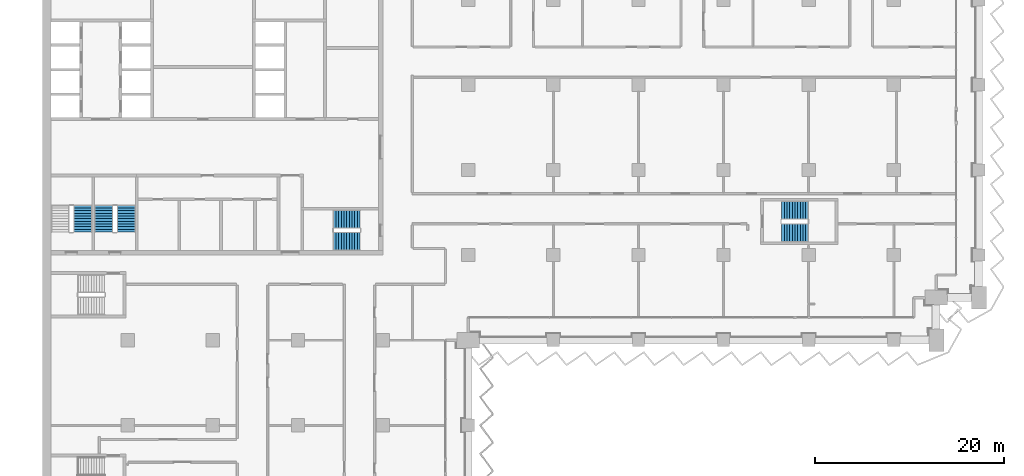
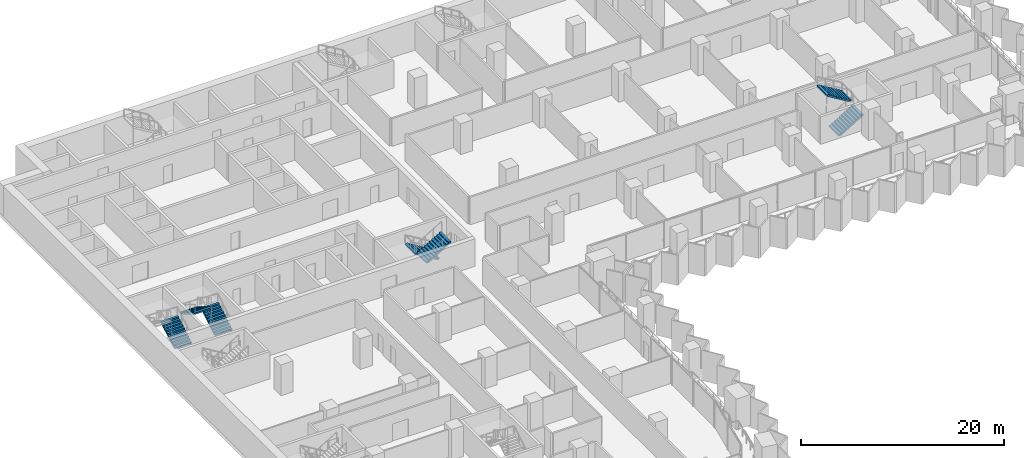
# One storey, part 20 of 28: 7 stair flights, 4 elements without a shape of their own.
"""IFC4 building model written with IfcOpenShell, lengths in metres."""

from ifc_helpers import new_model, si_unit, direction, frame, origin, place, context, subcontext, project, spatial, polyline, outline, extrude, material, type_object, element, aggregate, save


model = new_model("IFC4")

# Units and contexts
model_context = context("Model", 3, precision=1e-05, world=origin(), true_north=direction((0.0, 1.0)))
body_context = subcontext(model_context, "Body", "Model", "MODEL_VIEW")
ifc_project = project(units=[si_unit("LENGTHUNIT", "METRE"), si_unit("AREAUNIT", "SQUARE_METRE"), si_unit("VOLUMEUNIT", "CUBIC_METRE"), si_unit("PLANEANGLEUNIT", "RADIAN"), si_unit("MASSUNIT", "GRAM", prefix="KILO")], contexts=[model_context])

# Site, building, storey
site_placement = place(None, origin())
site = spatial("IfcSite", under=ifc_project, at=site_placement, CompositionType="ELEMENT")
building_placement = place(site_placement, origin())
building = spatial("IfcBuilding", under=site, at=building_placement, Name="Hunhe Ridgeline Campus", CompositionType="ELEMENT")
storey_placement = place(building_placement, frame((0.0, 0.0, 58.0)))
storey = spatial("IfcBuildingStorey", under=building, at=storey_placement, Name="L13", CompositionType="ELEMENT", Elevation=58.0)

# Stair, stair flights
ifc_material = material(Name="Concrete C40", Category="concrete")
stair_type = type_object("IfcStairType", Name="Reinforced concrete dog-leg stair 1950 Concrete C40", PredefinedType="HALF_TURN_STAIR", material=ifc_material)
stair_1_placement = place(storey_placement, origin())
stair_1 = element("IfcStair", 1, at=stair_1_placement, inside=storey, type_object=stair_type, Name="L13 S2", PredefinedType="HALF_TURN_STAIR")
stair_flight_type = type_object("IfcStairFlightType", Name="Reinforced concrete stair flight 1950 Concrete C40", PredefinedType="STRAIGHT", material=ifc_material)
stair_flight_1_placement = place(storey_placement, frame((33.550048828125, 66.77490234375, 0.0), z_axis=(0.0, 0.0, 1.0), x_axis=(-1.0, 0.0, 0.0)))
stair_flight_1 = element("IfcStairFlight", 2, at=stair_flight_1_placement, type_object=stair_flight_type, Name="ST2 flight 1", NumberOfRisers=11, NumberOfTreads=10, PredefinedType="STRAIGHT", RiserHeight=0.168181818, TreadLength=0.28, context=body_context, shape_type="SweptSolid", body=[
    extrude(outline(polyline([(0.0, 0.0), (0.0, 0.168212890625), (0.280029296875, 0.168212890625), (0.280029296875, 0.33642578125), (0.56005859375, 0.33642578125), (0.56005859375, 0.504638671875), (0.840087890625, 0.504638671875), (0.840087890625, 0.672607421875), (1.1201171875, 0.672607421875), (1.1201171875, 0.8408203125), (1.39990234375, 0.8408203125), (1.39990234375, 1.009033203125), (1.679931640625, 1.009033203125), (1.679931640625, 1.17724609375), (1.9599609375, 1.17724609375), (1.9599609375, 1.345458984375), (2.239990234375, 1.345458984375), (2.239990234375, 1.513671875), (2.52001953125, 1.513671875), (2.52001953125, 1.681884765625), (2.800048828125, 1.681884765625), (2.800048828125, 1.85009765625), (2.800048828125, 1.5068359375), (0.291015625, 0.0), (0.0, 0.0)])), frame((0.0, 0.97509765625, 0.0), z_axis=(0.0, -1.0, 0.0), x_axis=(1.0, 0.0, 0.0)), (0.0, 0.0, 1.0), 1.949951171875),
    extrude(outline(polyline([(0.030029296875, 0.030029296875), (0.030029296875, 0.13818359375), (0.31005859375, 0.13818359375), (0.31005859375, 0.306396484375), (0.590087890625, 0.306396484375), (0.590087890625, 0.474609375), (0.8701171875, 0.474609375), (0.8701171875, 0.642578125), (1.14990234375, 0.642578125), (1.14990234375, 0.810791015625), (1.429931640625, 0.810791015625), (1.429931640625, 0.97900390625), (1.7099609375, 0.97900390625), (1.7099609375, 1.147216796875), (1.989990234375, 1.147216796875), (1.989990234375, 1.3154296875), (2.27001953125, 1.3154296875), (2.27001953125, 1.483642578125), (2.550048828125, 1.483642578125), (2.550048828125, 1.65185546875), (2.77001953125, 1.65185546875), (2.77001953125, 1.52392578125), (0.28271484375, 0.030029296875), (0.030029296875, 0.030029296875)])), frame((0.0, -0.070068359375, 0.0), z_axis=(0.0, -1.0, 0.0), x_axis=(1.0, 0.0, 0.0)), (0.0, 0.0, 1.0), 0.019775390625),
    extrude(outline(polyline([(0.030029296875, 0.030029296875), (0.030029296875, 0.13818359375), (0.31005859375, 0.13818359375), (0.31005859375, 0.306396484375), (0.590087890625, 0.306396484375), (0.590087890625, 0.474609375), (0.8701171875, 0.474609375), (0.8701171875, 0.642578125), (1.14990234375, 0.642578125), (1.14990234375, 0.810791015625), (1.429931640625, 0.810791015625), (1.429931640625, 0.97900390625), (1.7099609375, 0.97900390625), (1.7099609375, 1.147216796875), (1.989990234375, 1.147216796875), (1.989990234375, 1.3154296875), (2.27001953125, 1.3154296875), (2.27001953125, 1.483642578125), (2.550048828125, 1.483642578125), (2.550048828125, 1.65185546875), (2.77001953125, 1.65185546875), (2.77001953125, 1.52392578125), (0.28271484375, 0.030029296875), (0.030029296875, 0.030029296875)])), frame((0.0, 0.010009765625, 0.0), z_axis=(0.0, -1.0, 0.0), x_axis=(1.0, 0.0, 0.0)), (0.0, 0.0, 1.0), 0.019775390625),
    extrude(outline(polyline([(0.030029296875, 0.030029296875), (0.030029296875, 0.13818359375), (0.31005859375, 0.13818359375), (0.31005859375, 0.306396484375), (0.590087890625, 0.306396484375), (0.590087890625, 0.474609375), (0.8701171875, 0.474609375), (0.8701171875, 0.642578125), (1.14990234375, 0.642578125), (1.14990234375, 0.810791015625), (1.429931640625, 0.810791015625), (1.429931640625, 0.97900390625), (1.7099609375, 0.97900390625), (1.7099609375, 1.147216796875), (1.989990234375, 1.147216796875), (1.989990234375, 1.3154296875), (2.27001953125, 1.3154296875), (2.27001953125, 1.483642578125), (2.550048828125, 1.483642578125), (2.550048828125, 1.65185546875), (2.77001953125, 1.65185546875), (2.77001953125, 1.52392578125), (0.28271484375, 0.030029296875), (0.030029296875, 0.030029296875)])), frame((0.0, 0.090087890625, 0.0), z_axis=(0.0, -1.0, 0.0), x_axis=(1.0, 0.0, 0.0)), (0.0, 0.0, 1.0), 0.019775390625),
])
stair_flight_2_placement = place(storey_placement, frame((30.75, 64.47509765625, 1.85009765625), z_axis=(0.0, 0.0, 1.0), x_axis=(1.0, 0.0, 0.0)))
stair_flight_2 = element("IfcStairFlight", 3, at=stair_flight_2_placement, type_object=stair_flight_type, Name="ST2 flight 2", NumberOfRisers=11, NumberOfTreads=10, PredefinedType="STRAIGHT", RiserHeight=0.168181818, TreadLength=0.28, context=body_context, shape_type="SweptSolid", body=[
    extrude(outline(polyline([(0.0, 0.0), (0.0, 0.168212890625), (0.280029296875, 0.168212890625), (0.280029296875, 0.33642578125), (0.56005859375, 0.33642578125), (0.56005859375, 0.504638671875), (0.840087890625, 0.504638671875), (0.840087890625, 0.672607421875), (1.1201171875, 0.672607421875), (1.1201171875, 0.8408203125), (1.39990234375, 0.8408203125), (1.39990234375, 1.009033203125), (1.679931640625, 1.009033203125), (1.679931640625, 1.17724609375), (1.9599609375, 1.17724609375), (1.9599609375, 1.345458984375), (2.239990234375, 1.345458984375), (2.239990234375, 1.513671875), (2.52001953125, 1.513671875), (2.52001953125, 1.681884765625), (2.800048828125, 1.681884765625), (2.800048828125, 1.85009765625), (2.800048828125, 1.5068359375), (0.291015625, 0.0), (0.0, 0.0)])), frame((0.0, 0.97509765625, 0.0), z_axis=(0.0, -1.0, 0.0), x_axis=(1.0, 0.0, 0.0)), (0.0, 0.0, 1.0), 1.949951171875),
    extrude(outline(polyline([(0.030029296875, 0.030029296875), (0.030029296875, 0.13818359375), (0.31005859375, 0.13818359375), (0.31005859375, 0.306396484375), (0.590087890625, 0.306396484375), (0.590087890625, 0.474609375), (0.8701171875, 0.474609375), (0.8701171875, 0.642578125), (1.14990234375, 0.642578125), (1.14990234375, 0.810791015625), (1.429931640625, 0.810791015625), (1.429931640625, 0.97900390625), (1.7099609375, 0.97900390625), (1.7099609375, 1.147216796875), (1.989990234375, 1.147216796875), (1.989990234375, 1.3154296875), (2.27001953125, 1.3154296875), (2.27001953125, 1.483642578125), (2.550048828125, 1.483642578125), (2.550048828125, 1.65185546875), (2.77001953125, 1.65185546875), (2.77001953125, 1.52392578125), (0.28271484375, 0.030029296875), (0.030029296875, 0.030029296875)])), frame((0.0, -0.070068359375, 0.0), z_axis=(0.0, -1.0, 0.0), x_axis=(1.0, 0.0, 0.0)), (0.0, 0.0, 1.0), 0.019775390625),
    extrude(outline(polyline([(0.030029296875, 0.030029296875), (0.030029296875, 0.13818359375), (0.31005859375, 0.13818359375), (0.31005859375, 0.306396484375), (0.590087890625, 0.306396484375), (0.590087890625, 0.474609375), (0.8701171875, 0.474609375), (0.8701171875, 0.642578125), (1.14990234375, 0.642578125), (1.14990234375, 0.810791015625), (1.429931640625, 0.810791015625), (1.429931640625, 0.97900390625), (1.7099609375, 0.97900390625), (1.7099609375, 1.147216796875), (1.989990234375, 1.147216796875), (1.989990234375, 1.3154296875), (2.27001953125, 1.3154296875), (2.27001953125, 1.483642578125), (2.550048828125, 1.483642578125), (2.550048828125, 1.65185546875), (2.77001953125, 1.65185546875), (2.77001953125, 1.52392578125), (0.28271484375, 0.030029296875), (0.030029296875, 0.030029296875)])), frame((0.0, 0.010009765625, 0.0), z_axis=(0.0, -1.0, 0.0), x_axis=(1.0, 0.0, 0.0)), (0.0, 0.0, 1.0), 0.019775390625),
    extrude(outline(polyline([(0.030029296875, 0.030029296875), (0.030029296875, 0.13818359375), (0.31005859375, 0.13818359375), (0.31005859375, 0.306396484375), (0.590087890625, 0.306396484375), (0.590087890625, 0.474609375), (0.8701171875, 0.474609375), (0.8701171875, 0.642578125), (1.14990234375, 0.642578125), (1.14990234375, 0.810791015625), (1.429931640625, 0.810791015625), (1.429931640625, 0.97900390625), (1.7099609375, 0.97900390625), (1.7099609375, 1.147216796875), (1.989990234375, 1.147216796875), (1.989990234375, 1.3154296875), (2.27001953125, 1.3154296875), (2.27001953125, 1.483642578125), (2.550048828125, 1.483642578125), (2.550048828125, 1.65185546875), (2.77001953125, 1.65185546875), (2.77001953125, 1.52392578125), (0.28271484375, 0.030029296875), (0.030029296875, 0.030029296875)])), frame((0.0, 0.090087890625, 0.0), z_axis=(0.0, -1.0, 0.0), x_axis=(1.0, 0.0, 0.0)), (0.0, 0.0, 1.0), 0.019775390625),
])
aggregate(stair_1, [stair_flight_1, stair_flight_2])

# Stair, stair flight
stair_2_placement = place(storey_placement, origin())
stair_2 = element("IfcStair", 4, at=stair_2_placement, inside=storey, type_object=stair_type, Name="L13 S3", PredefinedType="HALF_TURN_STAIR")
stair_flight_3_placement = place(storey_placement, frame((4.22509765625, 65.449951171875, 0.0), z_axis=(0.0, 0.0, 1.0), x_axis=(0.0, 1.0, 0.0)))
stair_flight_3 = element("IfcStairFlight", 5, at=stair_flight_3_placement, type_object=stair_flight_type, Name="ST3 flight 1", NumberOfRisers=11, NumberOfTreads=10, PredefinedType="STRAIGHT", RiserHeight=0.168181818, TreadLength=0.28, context=body_context, shape_type="SweptSolid", body=[
    extrude(outline(polyline([(0.0, 0.0), (0.0, 0.168212890625), (0.280029296875, 0.168212890625), (0.280029296875, 0.33642578125), (0.56005859375, 0.33642578125), (0.56005859375, 0.504638671875), (0.840087890625, 0.504638671875), (0.840087890625, 0.672607421875), (1.1201171875, 0.672607421875), (1.1201171875, 0.8408203125), (1.39990234375, 0.8408203125), (1.39990234375, 1.009033203125), (1.679931640625, 1.009033203125), (1.679931640625, 1.17724609375), (1.9599609375, 1.17724609375), (1.9599609375, 1.345458984375), (2.239990234375, 1.345458984375), (2.239990234375, 1.513671875), (2.52001953125, 1.513671875), (2.52001953125, 1.681884765625), (2.800048828125, 1.681884765625), (2.800048828125, 1.85009765625), (2.800048828125, 1.5068359375), (0.291015625, 0.0), (0.0, 0.0)])), frame((0.0, 0.97509765625, 0.0), z_axis=(0.0, -1.0, 0.0), x_axis=(1.0, 0.0, 0.0)), (0.0, 0.0, 1.0), 1.949951171875),
    extrude(outline(polyline([(0.030029296875, 0.030029296875), (0.030029296875, 0.13818359375), (0.31005859375, 0.13818359375), (0.31005859375, 0.306396484375), (0.590087890625, 0.306396484375), (0.590087890625, 0.474609375), (0.8701171875, 0.474609375), (0.8701171875, 0.642578125), (1.14990234375, 0.642578125), (1.14990234375, 0.810791015625), (1.429931640625, 0.810791015625), (1.429931640625, 0.97900390625), (1.7099609375, 0.97900390625), (1.7099609375, 1.147216796875), (1.989990234375, 1.147216796875), (1.989990234375, 1.3154296875), (2.27001953125, 1.3154296875), (2.27001953125, 1.483642578125), (2.550048828125, 1.483642578125), (2.550048828125, 1.65185546875), (2.77001953125, 1.65185546875), (2.77001953125, 1.52392578125), (0.28271484375, 0.030029296875), (0.030029296875, 0.030029296875)])), frame((0.0, -0.070068359375, 0.0), z_axis=(0.0, -1.0, 0.0), x_axis=(1.0, 0.0, 0.0)), (0.0, 0.0, 1.0), 0.019775390625),
    extrude(outline(polyline([(0.030029296875, 0.030029296875), (0.030029296875, 0.13818359375), (0.31005859375, 0.13818359375), (0.31005859375, 0.306396484375), (0.590087890625, 0.306396484375), (0.590087890625, 0.474609375), (0.8701171875, 0.474609375), (0.8701171875, 0.642578125), (1.14990234375, 0.642578125), (1.14990234375, 0.810791015625), (1.429931640625, 0.810791015625), (1.429931640625, 0.97900390625), (1.7099609375, 0.97900390625), (1.7099609375, 1.147216796875), (1.989990234375, 1.147216796875), (1.989990234375, 1.3154296875), (2.27001953125, 1.3154296875), (2.27001953125, 1.483642578125), (2.550048828125, 1.483642578125), (2.550048828125, 1.65185546875), (2.77001953125, 1.65185546875), (2.77001953125, 1.52392578125), (0.28271484375, 0.030029296875), (0.030029296875, 0.030029296875)])), frame((0.0, 0.010009765625, 0.0), z_axis=(0.0, -1.0, 0.0), x_axis=(1.0, 0.0, 0.0)), (0.0, 0.0, 1.0), 0.019775390625),
    extrude(outline(polyline([(0.030029296875, 0.030029296875), (0.030029296875, 0.13818359375), (0.31005859375, 0.13818359375), (0.31005859375, 0.306396484375), (0.590087890625, 0.306396484375), (0.590087890625, 0.474609375), (0.8701171875, 0.474609375), (0.8701171875, 0.642578125), (1.14990234375, 0.642578125), (1.14990234375, 0.810791015625), (1.429931640625, 0.810791015625), (1.429931640625, 0.97900390625), (1.7099609375, 0.97900390625), (1.7099609375, 1.147216796875), (1.989990234375, 1.147216796875), (1.989990234375, 1.3154296875), (2.27001953125, 1.3154296875), (2.27001953125, 1.483642578125), (2.550048828125, 1.483642578125), (2.550048828125, 1.65185546875), (2.77001953125, 1.65185546875), (2.77001953125, 1.52392578125), (0.28271484375, 0.030029296875), (0.030029296875, 0.030029296875)])), frame((0.0, 0.090087890625, 0.0), z_axis=(0.0, -1.0, 0.0), x_axis=(1.0, 0.0, 0.0)), (0.0, 0.0, 1.0), 0.019775390625),
])
aggregate(stair_2, [stair_flight_3])

# Stair, stair flights
stair_3_placement = place(storey_placement, origin())
stair_3 = element("IfcStair", 6, at=stair_3_placement, inside=storey, type_object=stair_type, Name="L13 S4", PredefinedType="HALF_TURN_STAIR")
stair_flight_4_placement = place(storey_placement, frame((8.824951171875, 65.449951171875, 0.0), z_axis=(0.0, 0.0, 1.0), x_axis=(0.0, 1.0, 0.0)))
stair_flight_4 = element("IfcStairFlight", 7, at=stair_flight_4_placement, type_object=stair_flight_type, Name="ST4 flight 1", NumberOfRisers=11, NumberOfTreads=10, PredefinedType="STRAIGHT", RiserHeight=0.168181818, TreadLength=0.28, context=body_context, shape_type="SweptSolid", body=[
    extrude(outline(polyline([(0.0, 0.0), (0.0, 0.168212890625), (0.280029296875, 0.168212890625), (0.280029296875, 0.33642578125), (0.56005859375, 0.33642578125), (0.56005859375, 0.504638671875), (0.840087890625, 0.504638671875), (0.840087890625, 0.672607421875), (1.1201171875, 0.672607421875), (1.1201171875, 0.8408203125), (1.39990234375, 0.8408203125), (1.39990234375, 1.009033203125), (1.679931640625, 1.009033203125), (1.679931640625, 1.17724609375), (1.9599609375, 1.17724609375), (1.9599609375, 1.345458984375), (2.239990234375, 1.345458984375), (2.239990234375, 1.513671875), (2.52001953125, 1.513671875), (2.52001953125, 1.681884765625), (2.800048828125, 1.681884765625), (2.800048828125, 1.85009765625), (2.800048828125, 1.5068359375), (0.291015625, 0.0), (0.0, 0.0)])), frame((0.0, 0.97509765625, 0.0), z_axis=(0.0, -1.0, 0.0), x_axis=(1.0, 0.0, 0.0)), (0.0, 0.0, 1.0), 1.949951171875),
    extrude(outline(polyline([(0.030029296875, 0.030029296875), (0.030029296875, 0.13818359375), (0.31005859375, 0.13818359375), (0.31005859375, 0.306396484375), (0.590087890625, 0.306396484375), (0.590087890625, 0.474609375), (0.8701171875, 0.474609375), (0.8701171875, 0.642578125), (1.14990234375, 0.642578125), (1.14990234375, 0.810791015625), (1.429931640625, 0.810791015625), (1.429931640625, 0.97900390625), (1.7099609375, 0.97900390625), (1.7099609375, 1.147216796875), (1.989990234375, 1.147216796875), (1.989990234375, 1.3154296875), (2.27001953125, 1.3154296875), (2.27001953125, 1.483642578125), (2.550048828125, 1.483642578125), (2.550048828125, 1.65185546875), (2.77001953125, 1.65185546875), (2.77001953125, 1.52392578125), (0.28271484375, 0.030029296875), (0.030029296875, 0.030029296875)])), frame((0.0, -0.070068359375, 0.0), z_axis=(0.0, -1.0, 0.0), x_axis=(1.0, 0.0, 0.0)), (0.0, 0.0, 1.0), 0.019775390625),
    extrude(outline(polyline([(0.030029296875, 0.030029296875), (0.030029296875, 0.13818359375), (0.31005859375, 0.13818359375), (0.31005859375, 0.306396484375), (0.590087890625, 0.306396484375), (0.590087890625, 0.474609375), (0.8701171875, 0.474609375), (0.8701171875, 0.642578125), (1.14990234375, 0.642578125), (1.14990234375, 0.810791015625), (1.429931640625, 0.810791015625), (1.429931640625, 0.97900390625), (1.7099609375, 0.97900390625), (1.7099609375, 1.147216796875), (1.989990234375, 1.147216796875), (1.989990234375, 1.3154296875), (2.27001953125, 1.3154296875), (2.27001953125, 1.483642578125), (2.550048828125, 1.483642578125), (2.550048828125, 1.65185546875), (2.77001953125, 1.65185546875), (2.77001953125, 1.52392578125), (0.28271484375, 0.030029296875), (0.030029296875, 0.030029296875)])), frame((0.0, 0.010009765625, 0.0), z_axis=(0.0, -1.0, 0.0), x_axis=(1.0, 0.0, 0.0)), (0.0, 0.0, 1.0), 0.019775390625),
    extrude(outline(polyline([(0.030029296875, 0.030029296875), (0.030029296875, 0.13818359375), (0.31005859375, 0.13818359375), (0.31005859375, 0.306396484375), (0.590087890625, 0.306396484375), (0.590087890625, 0.474609375), (0.8701171875, 0.474609375), (0.8701171875, 0.642578125), (1.14990234375, 0.642578125), (1.14990234375, 0.810791015625), (1.429931640625, 0.810791015625), (1.429931640625, 0.97900390625), (1.7099609375, 0.97900390625), (1.7099609375, 1.147216796875), (1.989990234375, 1.147216796875), (1.989990234375, 1.3154296875), (2.27001953125, 1.3154296875), (2.27001953125, 1.483642578125), (2.550048828125, 1.483642578125), (2.550048828125, 1.65185546875), (2.77001953125, 1.65185546875), (2.77001953125, 1.52392578125), (0.28271484375, 0.030029296875), (0.030029296875, 0.030029296875)])), frame((0.0, 0.090087890625, 0.0), z_axis=(0.0, -1.0, 0.0), x_axis=(1.0, 0.0, 0.0)), (0.0, 0.0, 1.0), 0.019775390625),
])
stair_flight_5_placement = place(storey_placement, frame((6.47509765625, 68.25, 1.85009765625), z_axis=(0.0, 0.0, 1.0), x_axis=(0.0, -1.0, 0.0)))
stair_flight_5 = element("IfcStairFlight", 8, at=stair_flight_5_placement, type_object=stair_flight_type, Name="ST4 flight 2", NumberOfRisers=11, NumberOfTreads=10, PredefinedType="STRAIGHT", RiserHeight=0.168181818, TreadLength=0.28, context=body_context, shape_type="SweptSolid", body=[
    extrude(outline(polyline([(0.0, 0.0), (0.0, 0.168212890625), (0.280029296875, 0.168212890625), (0.280029296875, 0.33642578125), (0.56005859375, 0.33642578125), (0.56005859375, 0.504638671875), (0.840087890625, 0.504638671875), (0.840087890625, 0.672607421875), (1.1201171875, 0.672607421875), (1.1201171875, 0.8408203125), (1.39990234375, 0.8408203125), (1.39990234375, 1.009033203125), (1.679931640625, 1.009033203125), (1.679931640625, 1.17724609375), (1.9599609375, 1.17724609375), (1.9599609375, 1.345458984375), (2.239990234375, 1.345458984375), (2.239990234375, 1.513671875), (2.52001953125, 1.513671875), (2.52001953125, 1.681884765625), (2.800048828125, 1.681884765625), (2.800048828125, 1.85009765625), (2.800048828125, 1.5068359375), (0.291015625, 0.0), (0.0, 0.0)])), frame((0.0, 0.97509765625, 0.0), z_axis=(0.0, -1.0, 0.0), x_axis=(1.0, 0.0, 0.0)), (0.0, 0.0, 1.0), 1.949951171875),
    extrude(outline(polyline([(0.030029296875, 0.030029296875), (0.030029296875, 0.13818359375), (0.31005859375, 0.13818359375), (0.31005859375, 0.306396484375), (0.590087890625, 0.306396484375), (0.590087890625, 0.474609375), (0.8701171875, 0.474609375), (0.8701171875, 0.642578125), (1.14990234375, 0.642578125), (1.14990234375, 0.810791015625), (1.429931640625, 0.810791015625), (1.429931640625, 0.97900390625), (1.7099609375, 0.97900390625), (1.7099609375, 1.147216796875), (1.989990234375, 1.147216796875), (1.989990234375, 1.3154296875), (2.27001953125, 1.3154296875), (2.27001953125, 1.483642578125), (2.550048828125, 1.483642578125), (2.550048828125, 1.65185546875), (2.77001953125, 1.65185546875), (2.77001953125, 1.52392578125), (0.28271484375, 0.030029296875), (0.030029296875, 0.030029296875)])), frame((0.0, -0.070068359375, 0.0), z_axis=(0.0, -1.0, 0.0), x_axis=(1.0, 0.0, 0.0)), (0.0, 0.0, 1.0), 0.019775390625),
    extrude(outline(polyline([(0.030029296875, 0.030029296875), (0.030029296875, 0.13818359375), (0.31005859375, 0.13818359375), (0.31005859375, 0.306396484375), (0.590087890625, 0.306396484375), (0.590087890625, 0.474609375), (0.8701171875, 0.474609375), (0.8701171875, 0.642578125), (1.14990234375, 0.642578125), (1.14990234375, 0.810791015625), (1.429931640625, 0.810791015625), (1.429931640625, 0.97900390625), (1.7099609375, 0.97900390625), (1.7099609375, 1.147216796875), (1.989990234375, 1.147216796875), (1.989990234375, 1.3154296875), (2.27001953125, 1.3154296875), (2.27001953125, 1.483642578125), (2.550048828125, 1.483642578125), (2.550048828125, 1.65185546875), (2.77001953125, 1.65185546875), (2.77001953125, 1.52392578125), (0.28271484375, 0.030029296875), (0.030029296875, 0.030029296875)])), frame((0.0, 0.010009765625, 0.0), z_axis=(0.0, -1.0, 0.0), x_axis=(1.0, 0.0, 0.0)), (0.0, 0.0, 1.0), 0.019775390625),
    extrude(outline(polyline([(0.030029296875, 0.030029296875), (0.030029296875, 0.13818359375), (0.31005859375, 0.13818359375), (0.31005859375, 0.306396484375), (0.590087890625, 0.306396484375), (0.590087890625, 0.474609375), (0.8701171875, 0.474609375), (0.8701171875, 0.642578125), (1.14990234375, 0.642578125), (1.14990234375, 0.810791015625), (1.429931640625, 0.810791015625), (1.429931640625, 0.97900390625), (1.7099609375, 0.97900390625), (1.7099609375, 1.147216796875), (1.989990234375, 1.147216796875), (1.989990234375, 1.3154296875), (2.27001953125, 1.3154296875), (2.27001953125, 1.483642578125), (2.550048828125, 1.483642578125), (2.550048828125, 1.65185546875), (2.77001953125, 1.65185546875), (2.77001953125, 1.52392578125), (0.28271484375, 0.030029296875), (0.030029296875, 0.030029296875)])), frame((0.0, 0.090087890625, 0.0), z_axis=(0.0, -1.0, 0.0), x_axis=(1.0, 0.0, 0.0)), (0.0, 0.0, 1.0), 0.019775390625),
])
aggregate(stair_3, [stair_flight_4, stair_flight_5])

stair_4_placement = place(storey_placement, origin())
stair_4 = element("IfcStair", 9, at=stair_4_placement, inside=storey, type_object=stair_type, Name="L13 E5", PredefinedType="HALF_TURN_STAIR")
stair_flight_6_placement = place(storey_placement, frame((78.14990234375, 65.375, 0.0), z_axis=(0.0, 0.0, 1.0), x_axis=(1.0, 0.0, 0.0)))
stair_flight_6 = element("IfcStairFlight", 10, at=stair_flight_6_placement, type_object=stair_flight_type, Name="ST10 flight 1", NumberOfRisers=11, NumberOfTreads=10, PredefinedType="STRAIGHT", RiserHeight=0.168181818, TreadLength=0.28, context=body_context, shape_type="SweptSolid", body=[
    extrude(outline(polyline([(0.0, 0.0), (0.0, 0.168212890625), (0.280029296875, 0.168212890625), (0.280029296875, 0.33642578125), (0.56005859375, 0.33642578125), (0.56005859375, 0.504638671875), (0.840087890625, 0.504638671875), (0.840087890625, 0.672607421875), (1.1201171875, 0.672607421875), (1.1201171875, 0.8408203125), (1.39990234375, 0.8408203125), (1.39990234375, 1.009033203125), (1.679931640625, 1.009033203125), (1.679931640625, 1.17724609375), (1.9599609375, 1.17724609375), (1.9599609375, 1.345458984375), (2.239990234375, 1.345458984375), (2.239990234375, 1.513671875), (2.52001953125, 1.513671875), (2.52001953125, 1.681884765625), (2.800048828125, 1.681884765625), (2.800048828125, 1.85009765625), (2.800048828125, 1.5068359375), (0.291015625, 0.0), (0.0, 0.0)])), frame((0.0, 0.97509765625, 0.0), z_axis=(0.0, -1.0, 0.0), x_axis=(1.0, 0.0, 0.0)), (0.0, 0.0, 1.0), 1.949951171875),
    extrude(outline(polyline([(0.030029296875, 0.030029296875), (0.030029296875, 0.13818359375), (0.31005859375, 0.13818359375), (0.31005859375, 0.306396484375), (0.590087890625, 0.306396484375), (0.590087890625, 0.474609375), (0.8701171875, 0.474609375), (0.8701171875, 0.642578125), (1.14990234375, 0.642578125), (1.14990234375, 0.810791015625), (1.429931640625, 0.810791015625), (1.429931640625, 0.97900390625), (1.7099609375, 0.97900390625), (1.7099609375, 1.147216796875), (1.989990234375, 1.147216796875), (1.989990234375, 1.3154296875), (2.27001953125, 1.3154296875), (2.27001953125, 1.483642578125), (2.550048828125, 1.483642578125), (2.550048828125, 1.65185546875), (2.77001953125, 1.65185546875), (2.77001953125, 1.52392578125), (0.28271484375, 0.030029296875), (0.030029296875, 0.030029296875)])), frame((0.0, -0.070068359375, 0.0), z_axis=(0.0, -1.0, 0.0), x_axis=(1.0, 0.0, 0.0)), (0.0, 0.0, 1.0), 0.019775390625),
    extrude(outline(polyline([(0.030029296875, 0.030029296875), (0.030029296875, 0.13818359375), (0.31005859375, 0.13818359375), (0.31005859375, 0.306396484375), (0.590087890625, 0.306396484375), (0.590087890625, 0.474609375), (0.8701171875, 0.474609375), (0.8701171875, 0.642578125), (1.14990234375, 0.642578125), (1.14990234375, 0.810791015625), (1.429931640625, 0.810791015625), (1.429931640625, 0.97900390625), (1.7099609375, 0.97900390625), (1.7099609375, 1.147216796875), (1.989990234375, 1.147216796875), (1.989990234375, 1.3154296875), (2.27001953125, 1.3154296875), (2.27001953125, 1.483642578125), (2.550048828125, 1.483642578125), (2.550048828125, 1.65185546875), (2.77001953125, 1.65185546875), (2.77001953125, 1.52392578125), (0.28271484375, 0.030029296875), (0.030029296875, 0.030029296875)])), frame((0.0, 0.010009765625, 0.0), z_axis=(0.0, -1.0, 0.0), x_axis=(1.0, 0.0, 0.0)), (0.0, 0.0, 1.0), 0.019775390625),
    extrude(outline(polyline([(0.030029296875, 0.030029296875), (0.030029296875, 0.13818359375), (0.31005859375, 0.13818359375), (0.31005859375, 0.306396484375), (0.590087890625, 0.306396484375), (0.590087890625, 0.474609375), (0.8701171875, 0.474609375), (0.8701171875, 0.642578125), (1.14990234375, 0.642578125), (1.14990234375, 0.810791015625), (1.429931640625, 0.810791015625), (1.429931640625, 0.97900390625), (1.7099609375, 0.97900390625), (1.7099609375, 1.147216796875), (1.989990234375, 1.147216796875), (1.989990234375, 1.3154296875), (2.27001953125, 1.3154296875), (2.27001953125, 1.483642578125), (2.550048828125, 1.483642578125), (2.550048828125, 1.65185546875), (2.77001953125, 1.65185546875), (2.77001953125, 1.52392578125), (0.28271484375, 0.030029296875), (0.030029296875, 0.030029296875)])), frame((0.0, 0.090087890625, 0.0), z_axis=(0.0, -1.0, 0.0), x_axis=(1.0, 0.0, 0.0)), (0.0, 0.0, 1.0), 0.019775390625),
])
stair_flight_7_placement = place(storey_placement, frame((80.949951171875, 67.72509765625, 1.85009765625), z_axis=(0.0, 0.0, 1.0), x_axis=(-1.0, 0.0, 0.0)))
stair_flight_7 = element("IfcStairFlight", 11, at=stair_flight_7_placement, type_object=stair_flight_type, Name="ST10 flight 2", NumberOfRisers=11, NumberOfTreads=10, PredefinedType="STRAIGHT", RiserHeight=0.168181818, TreadLength=0.28, context=body_context, shape_type="SweptSolid", body=[
    extrude(outline(polyline([(0.0, 0.0), (0.0, 0.168212890625), (0.280029296875, 0.168212890625), (0.280029296875, 0.33642578125), (0.56005859375, 0.33642578125), (0.56005859375, 0.504638671875), (0.840087890625, 0.504638671875), (0.840087890625, 0.672607421875), (1.1201171875, 0.672607421875), (1.1201171875, 0.8408203125), (1.39990234375, 0.8408203125), (1.39990234375, 1.009033203125), (1.679931640625, 1.009033203125), (1.679931640625, 1.17724609375), (1.9599609375, 1.17724609375), (1.9599609375, 1.345458984375), (2.239990234375, 1.345458984375), (2.239990234375, 1.513671875), (2.52001953125, 1.513671875), (2.52001953125, 1.681884765625), (2.800048828125, 1.681884765625), (2.800048828125, 1.85009765625), (2.800048828125, 1.5068359375), (0.291015625, 0.0), (0.0, 0.0)])), frame((0.0, 0.97509765625, 0.0), z_axis=(0.0, -1.0, 0.0), x_axis=(1.0, 0.0, 0.0)), (0.0, 0.0, 1.0), 1.949951171875),
    extrude(outline(polyline([(0.030029296875, 0.030029296875), (0.030029296875, 0.13818359375), (0.31005859375, 0.13818359375), (0.31005859375, 0.306396484375), (0.590087890625, 0.306396484375), (0.590087890625, 0.474609375), (0.8701171875, 0.474609375), (0.8701171875, 0.642578125), (1.14990234375, 0.642578125), (1.14990234375, 0.810791015625), (1.429931640625, 0.810791015625), (1.429931640625, 0.97900390625), (1.7099609375, 0.97900390625), (1.7099609375, 1.147216796875), (1.989990234375, 1.147216796875), (1.989990234375, 1.3154296875), (2.27001953125, 1.3154296875), (2.27001953125, 1.483642578125), (2.550048828125, 1.483642578125), (2.550048828125, 1.65185546875), (2.77001953125, 1.65185546875), (2.77001953125, 1.52392578125), (0.28271484375, 0.030029296875), (0.030029296875, 0.030029296875)])), frame((0.0, -0.070068359375, 0.0), z_axis=(0.0, -1.0, 0.0), x_axis=(1.0, 0.0, 0.0)), (0.0, 0.0, 1.0), 0.019775390625),
    extrude(outline(polyline([(0.030029296875, 0.030029296875), (0.030029296875, 0.13818359375), (0.31005859375, 0.13818359375), (0.31005859375, 0.306396484375), (0.590087890625, 0.306396484375), (0.590087890625, 0.474609375), (0.8701171875, 0.474609375), (0.8701171875, 0.642578125), (1.14990234375, 0.642578125), (1.14990234375, 0.810791015625), (1.429931640625, 0.810791015625), (1.429931640625, 0.97900390625), (1.7099609375, 0.97900390625), (1.7099609375, 1.147216796875), (1.989990234375, 1.147216796875), (1.989990234375, 1.3154296875), (2.27001953125, 1.3154296875), (2.27001953125, 1.483642578125), (2.550048828125, 1.483642578125), (2.550048828125, 1.65185546875), (2.77001953125, 1.65185546875), (2.77001953125, 1.52392578125), (0.28271484375, 0.030029296875), (0.030029296875, 0.030029296875)])), frame((0.0, 0.010009765625, 0.0), z_axis=(0.0, -1.0, 0.0), x_axis=(1.0, 0.0, 0.0)), (0.0, 0.0, 1.0), 0.019775390625),
    extrude(outline(polyline([(0.030029296875, 0.030029296875), (0.030029296875, 0.13818359375), (0.31005859375, 0.13818359375), (0.31005859375, 0.306396484375), (0.590087890625, 0.306396484375), (0.590087890625, 0.474609375), (0.8701171875, 0.474609375), (0.8701171875, 0.642578125), (1.14990234375, 0.642578125), (1.14990234375, 0.810791015625), (1.429931640625, 0.810791015625), (1.429931640625, 0.97900390625), (1.7099609375, 0.97900390625), (1.7099609375, 1.147216796875), (1.989990234375, 1.147216796875), (1.989990234375, 1.3154296875), (2.27001953125, 1.3154296875), (2.27001953125, 1.483642578125), (2.550048828125, 1.483642578125), (2.550048828125, 1.65185546875), (2.77001953125, 1.65185546875), (2.77001953125, 1.52392578125), (0.28271484375, 0.030029296875), (0.030029296875, 0.030029296875)])), frame((0.0, 0.090087890625, 0.0), z_axis=(0.0, -1.0, 0.0), x_axis=(1.0, 0.0, 0.0)), (0.0, 0.0, 1.0), 0.019775390625),
])
aggregate(stair_4, [stair_flight_6, stair_flight_7])

save(model, "model.ifc")
